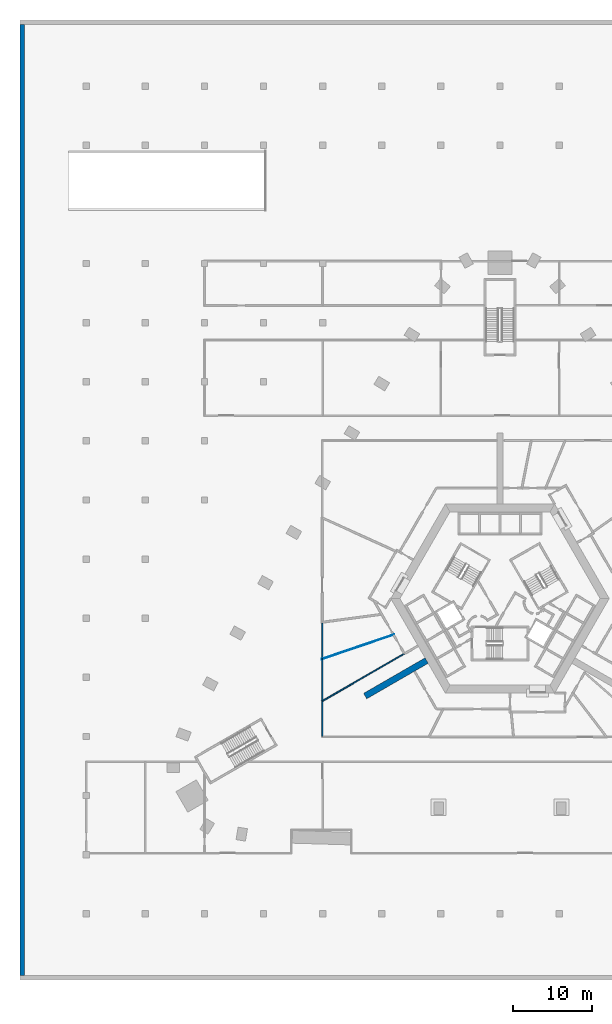
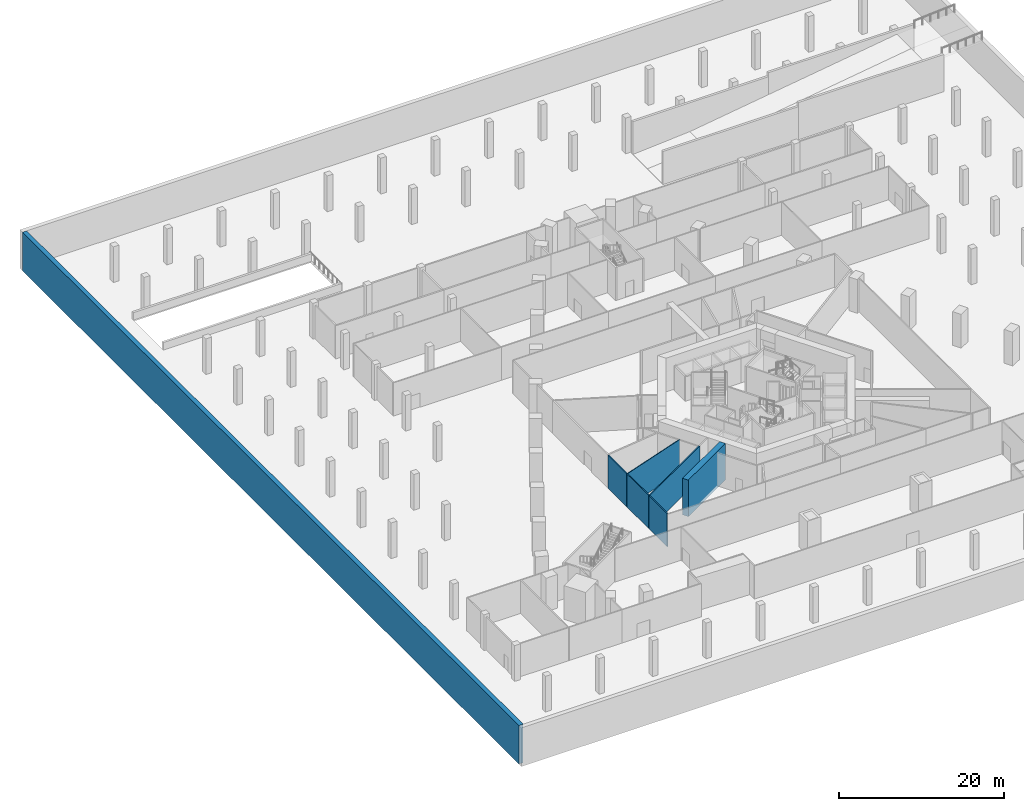
# One storey, part 5 of 20: 7 walls.
"""IFC4 building model written with IfcOpenShell, lengths in metres."""

import ifcopenshell
import ifcopenshell.guid

model = None  # the IFC model being written
_history = None  # IfcOwnerHistory: only IFC2X3 demands one
_inside = {}  # id of a spatial element -> (the spatial element, [elements in it])
_under = {}  # id of a project, library or spatial element -> (it, [spatial elements below it])
_declared = {}  # id of a project -> (the project, [libraries it declares])
_typed = {}  # id of a type object -> (the type object, [elements of that type])
_made_of = {}  # id of a material, layer set ... -> (it, [elements and type objects made of it])


def new_model(schema):
    """Start an empty IFC model of exactly this schema.

    Asked for "IFC4X3", IfcOpenShell would pick the latest addendum, in which some entities
    have other attributes; the version numbers below select the first issue.
    IFC2X3 requires an IfcOwnerHistory on every rooted entity: one is made here for all.
    """
    global model, _history
    if schema == "IFC4X3":
        model = ifcopenshell.file(schema_version=(4, 3, 0, 0))
    else:
        model = ifcopenshell.file(schema=schema)
    _inside.clear()
    _under.clear()
    _declared.clear()
    _typed.clear()
    _made_of.clear()
    _history = None
    if model.schema == "IFC2X3":
        org = make("IfcOrganization", Name="unknown")
        user = make(
            "IfcPersonAndOrganization",
            ThePerson=make("IfcPerson", FamilyName="unknown"),
            TheOrganization=org,
        )
        app = make(
            "IfcApplication",
            ApplicationDeveloper=org,
            Version="unknown",
            ApplicationFullName="unknown",
            ApplicationIdentifier="unknown",
        )
        _history = make(
            "IfcOwnerHistory",
            OwningUser=user,
            OwningApplication=app,
            ChangeAction="ADDED",
            CreationDate=0,
        )
    return model


def make(cls, **values):
    """One entity of the class cls with the attributes given. An attribute that is None is left unset."""
    return model.create_entity(
        cls, **{name: value for name, value in values.items() if value is not None}
    )


def rooted(cls, **values):
    """An entity with a GlobalId (a new one), such as an element, a storey or a relation."""
    return make(cls, GlobalId=ifcopenshell.guid.new(), OwnerHistory=_history, **values)


def si_unit(unit_type, name, prefix=None):
    """IfcSIUnit, for example si_unit("LENGTHUNIT", "METRE", prefix="MILLI")."""
    return make("IfcSIUnit", UnitType=unit_type, Prefix=prefix, Name=name)


def assignment(units):
    """IfcUnitAssignment: the units of a project."""
    return None if units is None else make("IfcUnitAssignment", Units=units)


def point(xyz):
    """IfcCartesianPoint."""
    return None if xyz is None else make("IfcCartesianPoint", Coordinates=xyz)


def direction(xyz):
    """IfcDirection."""
    return None if xyz is None else make("IfcDirection", DirectionRatios=xyz)


def frame(location, z_axis=None, x_axis=None):
    """IfcAxis2Placement3D, a coordinate frame: its origin and axes. An axis left out is left unset."""
    return make(
        "IfcAxis2Placement3D",
        Location=point(location),
        Axis=direction(z_axis),
        RefDirection=direction(x_axis),
    )


def frame_2d(location, x_axis=None):
    """IfcAxis2Placement2D, a coordinate frame in the plane: its origin and x axis."""
    return make(
        "IfcAxis2Placement2D", Location=point(location), RefDirection=direction(x_axis)
    )


def origin():
    """The frame at (0, 0, 0) with its axes left unset."""
    return frame((0.0, 0.0, 0.0))


def place(relative_to, where):
    """IfcLocalPlacement: puts the frame where relative to a parent placement (None: the world)."""
    return make(
        "IfcLocalPlacement", PlacementRelTo=relative_to, RelativePlacement=where
    )


def context(
    kind, dimensions, precision=None, world=None, true_north=None, identifier=None
):
    """IfcGeometricRepresentationContext, for example the 3D "Model" context."""
    return make(
        "IfcGeometricRepresentationContext",
        ContextIdentifier=identifier,
        ContextType=kind,
        CoordinateSpaceDimension=dimensions,
        Precision=precision,
        WorldCoordinateSystem=world,
        TrueNorth=true_north,
    )


def subcontext(parent, identifier, kind, view, scale=None):
    """IfcGeometricRepresentationSubContext, for example "Body" below "Model"."""
    return make(
        "IfcGeometricRepresentationSubContext",
        ContextIdentifier=identifier,
        ContextType=kind,
        ParentContext=parent,
        TargetScale=scale,
        TargetView=view,
    )


def project(units=None, contexts=None):
    """IfcProject with its units and contexts."""
    return rooted(
        "IfcProject",
        Name="project",
        RepresentationContexts=contexts,
        UnitsInContext=assignment(units),
    )


def spatial(cls, under=None, at=None, **own):
    """A site, building, storey or space (cls), placed at a placement, below another one or the project."""
    s = rooted(cls, ObjectPlacement=at, **own)
    if under is not None:
        _under.setdefault(under.id(), (under, []))[1].append(s)
    return s


def polyline(points):
    """IfcPolyline through the points."""
    return make("IfcPolyline", Points=[point(p) for p in points])


def profile(cls, at=None, kind="AREA", **sizes):
    """A parametric profile (cls). Its sizes go by their IFC names, for example OverallWidth=200.0."""
    return make(cls, ProfileType=kind, Position=at, **sizes)


def rectangle(**sizes):
    """IfcRectangleProfileDef."""
    return profile("IfcRectangleProfileDef", **sizes)


def outline(outer, holes=None, kind="AREA"):
    """IfcArbitraryClosedProfileDef: a profile drawn as a closed curve; with holes, ...WithVoids."""
    if holes is None:
        return make("IfcArbitraryClosedProfileDef", ProfileType=kind, OuterCurve=outer)
    return make(
        "IfcArbitraryProfileDefWithVoids",
        ProfileType=kind,
        OuterCurve=outer,
        InnerCurves=holes,
    )


def extrude(swept, where, along, depth):
    """IfcExtrudedAreaSolid: the profile swept, set in the frame where, extruded along a direction by depth."""
    return make(
        "IfcExtrudedAreaSolid",
        SweptArea=swept,
        Position=where,
        ExtrudedDirection=direction(along),
        Depth=depth,
    )


def shape(context_of_items, identifier, shape_type, items):
    """IfcShapeRepresentation: the items that make up one representation, for example the "Body"."""
    return make(
        "IfcShapeRepresentation",
        ContextOfItems=context_of_items,
        RepresentationIdentifier=identifier,
        RepresentationType=shape_type,
        Items=items,
    )


def material(Name=None, Category=None):
    """IfcMaterial."""
    return make("IfcMaterial", Name=Name, Category=Category)


def layer(
    of_material, thickness, ventilated=None, Name=None, Category=None, Priority=None
):
    """IfcMaterialLayer: one layer of a wall or slab, of a material (None: an air gap)."""
    return make(
        "IfcMaterialLayer",
        Material=of_material,
        LayerThickness=thickness,
        IsVentilated=ventilated,
        Name=Name,
        Category=Category,
        Priority=Priority,
    )


def layer_set(layers, Name=None):
    """IfcMaterialLayerSet."""
    return make("IfcMaterialLayerSet", MaterialLayers=layers, LayerSetName=Name)


def made_of(thing, what):
    """Note that an element or type object is made of a material, layer set ...; save() writes the relation."""
    if what is not None:
        _made_of.setdefault(what.id(), (what, []))[1].append(thing)
    return thing


def type_object(cls, material=None, **own):
    """A type object (cls), such as IfcWallType, which elements share."""
    return made_of(rooted(cls, **own), material)


def element(
    cls,
    number,
    at=None,
    inside=None,
    cuts=None,
    type_object=None,
    material=None,
    context=None,
    identifier="Body",
    shape_type=None,
    held_by="IfcProductDefinitionShape",
    body=None,
    shapes=None,
    **own,
):
    """One element of the class cls, such as IfcWall. Its Tag is "e" and its number.

    at: its placement. inside: the storey or other place that contains it. cuts: it is an
    opening in that element (IfcRelVoidsElement). A single representation is given by context,
    identifier, shape_type and body (its items); several are given by shapes. held_by: the class
    of the entity that holds the representations. save() writes the other relations.
    """
    e = rooted(cls, Tag="e%d" % number, ObjectPlacement=at, **own)
    if body is not None:
        shapes = [shape(context, identifier, shape_type, body)]
    if shapes is not None:
        e.Representation = make(held_by, Representations=shapes)
    if inside is not None:
        _inside.setdefault(inside.id(), (inside, []))[1].append(e)
    if cuts is not None:
        rooted(
            "IfcRelVoidsElement", RelatingBuildingElement=cuts, RelatedOpeningElement=e
        )
    if type_object is not None:
        _typed.setdefault(type_object.id(), (type_object, []))[1].append(e)
    return made_of(e, material)


def aggregate(whole, parts):
    """IfcRelAggregates: a whole, such as a stair, and the parts it consists of."""
    return rooted("IfcRelAggregates", RelatingObject=whole, RelatedObjects=parts)


def save(model, path):
    """Write the relations noted so far, then the file.

    IfcRelAggregates (storeys below a building ...), IfcRelContainedInSpatialStructure (elements
    in a storey), IfcRelDefinesByType, IfcRelAssociatesMaterial and IfcRelDeclares: one each for
    every whole, place, type object, material and project.
    """
    for whole, parts in _under.values():
        aggregate(whole, parts)
    for where, things in _inside.values():
        rooted(
            "IfcRelContainedInSpatialStructure",
            RelatedElements=things,
            RelatingStructure=where,
        )
    for kind, things in _typed.values():
        rooted("IfcRelDefinesByType", RelatedObjects=things, RelatingType=kind)
    for what, things in _made_of.values():
        rooted("IfcRelAssociatesMaterial", RelatedObjects=things, RelatingMaterial=what)
    for by, libraries in _declared.values():
        rooted("IfcRelDeclares", RelatingContext=by, RelatedDefinitions=libraries)
    model.write(path)


model = new_model("IFC4")

# Units and contexts
model_context = context("Model", 3, precision=1e-05, world=origin(), true_north=direction((0.0, 1.0)))
body_context = subcontext(model_context, "Body", "Model", "MODEL_VIEW")
ifc_project = project(units=[si_unit("LENGTHUNIT", "METRE"), si_unit("AREAUNIT", "SQUARE_METRE"), si_unit("VOLUMEUNIT", "CUBIC_METRE"), si_unit("PLANEANGLEUNIT", "RADIAN"), si_unit("MASSUNIT", "GRAM", prefix="KILO")], contexts=[model_context])

# Site, building, storey
site_placement = place(None, origin())
site = spatial("IfcSite", under=ifc_project, at=site_placement, CompositionType="ELEMENT")
building_placement = place(site_placement, origin())
building = spatial("IfcBuilding", under=site, at=building_placement, Name="Entoto Arch Interchange Tower", CompositionType="ELEMENT")
storey_placement = place(building_placement, frame((0.0, 0.0, -5.5)))
storey = spatial("IfcBuildingStorey", under=building, at=storey_placement, Name="B1", CompositionType="ELEMENT", Elevation=-5.5)

# Walls
ifc_material_1 = material(Name="Concrete C40/50", Category="concrete")
ifc_layer_1 = layer(ifc_material_1, 0.60009765625)
ifc_layer_set_1 = layer_set([ifc_layer_1], Name="Concrete C40/50")
wall_type_1 = type_object("IfcWallType", Name="Basement retaining wall 600 C40/50", PredefinedType="SOLIDWALL", material=ifc_layer_set_1)
wall_1_placement = place(storey_placement, frame((0.0, 0.0, -0.419921875)))
element("IfcWall", 1, at=wall_1_placement, inside=storey, type_object=wall_type_1, Name="Retaining wall B1", PredefinedType="SOLIDWALL", context=body_context, shape_type="SweptSolid", body=[
    extrude(outline(polyline([(-60.300048828125, -45.300048828125), (-60.300048828125, 75.300048828125), (-60.89990234375, 75.300048828125), (-60.89990234375, -45.300048828125), (-60.300048828125, -45.300048828125)])), origin(), (0.0, 0.0, 1.0), 5.719970703125),
])
ifc_material_2 = material(Name="Concrete C60/75", Category="concrete")
ifc_layer_2 = layer(ifc_material_2, 0.800048828125)
ifc_layer_set_2 = layer_set([ifc_layer_2], Name="Concrete C60/75")
wall_type_2 = type_object("IfcWallType", Name="Buttress wall 800 C60/75", PredefinedType="SHEAR", material=ifc_layer_set_2)
wall_2_placement = place(storey_placement, frame((-9.31005859375, -5.375, -0.419921875), z_axis=(0.0, 0.0, 1.0), x_axis=(-0.866017533419, -0.500013631625, 0.0)))
element("IfcWall", 2, at=wall_2_placement, inside=storey, type_object=wall_type_2, Name="Buttress wall SW B1", PredefinedType="SHEAR", context=body_context, shape_type="SweptSolid", body=[
    extrude(rectangle(XDim=8.999755859375, YDim=0.800048828125, at=frame_2d((4.5, 0.0))), origin(), (0.0, 0.0, 1.0), 5.419921875),
])
ifc_material_3 = material(Name="Gypsum board partition on steel studs", Category="steel")
ifc_layer_3 = layer(ifc_material_3, 0.10009765625)
ifc_layer_set_3 = layer_set([ifc_layer_3], Name="Gypsum board partition on steel studs")
wall_type_3 = type_object("IfcWallType", Name="PARTITION 100", PredefinedType="PARTITIONING", material=ifc_layer_set_3)
wall_3_placement = place(storey_placement, frame((-13.416015625, -2.06689453125, 0.0), z_axis=(0.0, 0.0, 1.0), x_axis=(-0.946668320361, -0.3222097007, 0.0)))
element("IfcWall", 3, at=wall_3_placement, inside=storey, type_object=wall_type_3, Name="wall:B1:p116", PredefinedType="PARTITIONING", context=body_context, shape_type="SweptSolid", body=[
    extrude(rectangle(XDim=9.7236328125, YDim=0.10009765625, at=frame_2d((4.86181640625, 0.0))), origin(), (0.0, 0.0, 1.0), 4.89990234375),
])
ifc_layer_4 = layer(ifc_material_3, 0.14990234375)
ifc_layer_set_4 = layer_set([ifc_layer_4], Name="Gypsum board partition on steel studs")
wall_type_4 = type_object("IfcWallType", Name="PARTITION 150", PredefinedType="PARTITIONING", material=ifc_layer_set_4)
wall_4_placement = place(storey_placement, frame((-22.550048828125, -14.97509765625, 0.0), z_axis=(0.0, 0.0, 1.0), x_axis=(0.0, 1.0, 0.0)))
element("IfcWall", 4, at=wall_4_placement, inside=storey, type_object=wall_type_4, Name="wall:B1:p017", PredefinedType="PARTITIONING", context=body_context, shape_type="SweptSolid", body=[
    extrude(rectangle(XDim=4.381103515625, YDim=0.14990234375, at=frame_2d((2.1904296875, 0.0))), origin(), (0.0, 0.0, 1.0), 4.89990234375),
])
wall_5_placement = place(storey_placement, frame((-22.614990234375, -10.555908203125, 0.0), z_axis=(0.0, 0.0, 1.0), x_axis=(0.866067424309, 0.499927211253, 0.0)))
element("IfcWall", 5, at=wall_5_placement, inside=storey, type_object=wall_type_4, Name="wall:B1:p019", PredefinedType="PARTITIONING", context=body_context, shape_type="SweptSolid", body=[
    extrude(rectangle(XDim=12.213623046875, YDim=0.14990234375, at=frame_2d((6.10693359375, 0.0))), origin(), (0.0, 0.0, 1.0), 4.89990234375),
])
wall_6_placement = place(storey_placement, frame((-22.550048828125, -5.1259765625, 0.0), z_axis=(0.0, 0.0, 1.0), x_axis=(0.0, 1.0, 0.0)))
element("IfcWall", 6, at=wall_6_placement, inside=storey, type_object=wall_type_4, Name="wall:B1:p051", PredefinedType="PARTITIONING", context=body_context, shape_type="SweptSolid", body=[
    extrude(rectangle(XDim=4.51806640625, YDim=0.14990234375, at=frame_2d((2.259033203125, 0.0))), origin(), (0.0, 0.0, 1.0), 4.89990234375),
])
wall_7_placement = place(storey_placement, frame((-22.550048828125, -10.444091796875, 0.0), z_axis=(0.0, 0.0, 1.0), x_axis=(0.0, 1.0, 0.0)))
element("IfcWall", 7, at=wall_7_placement, inside=storey, type_object=wall_type_4, Name="wall:B1:p052", PredefinedType="PARTITIONING", context=body_context, shape_type="SweptSolid", body=[
    extrude(rectangle(XDim=5.218017578125, YDim=0.14990234375, at=frame_2d((2.60888671875, 0.0))), origin(), (0.0, 0.0, 1.0), 4.89990234375),
])

save(model, "model.ifc")
